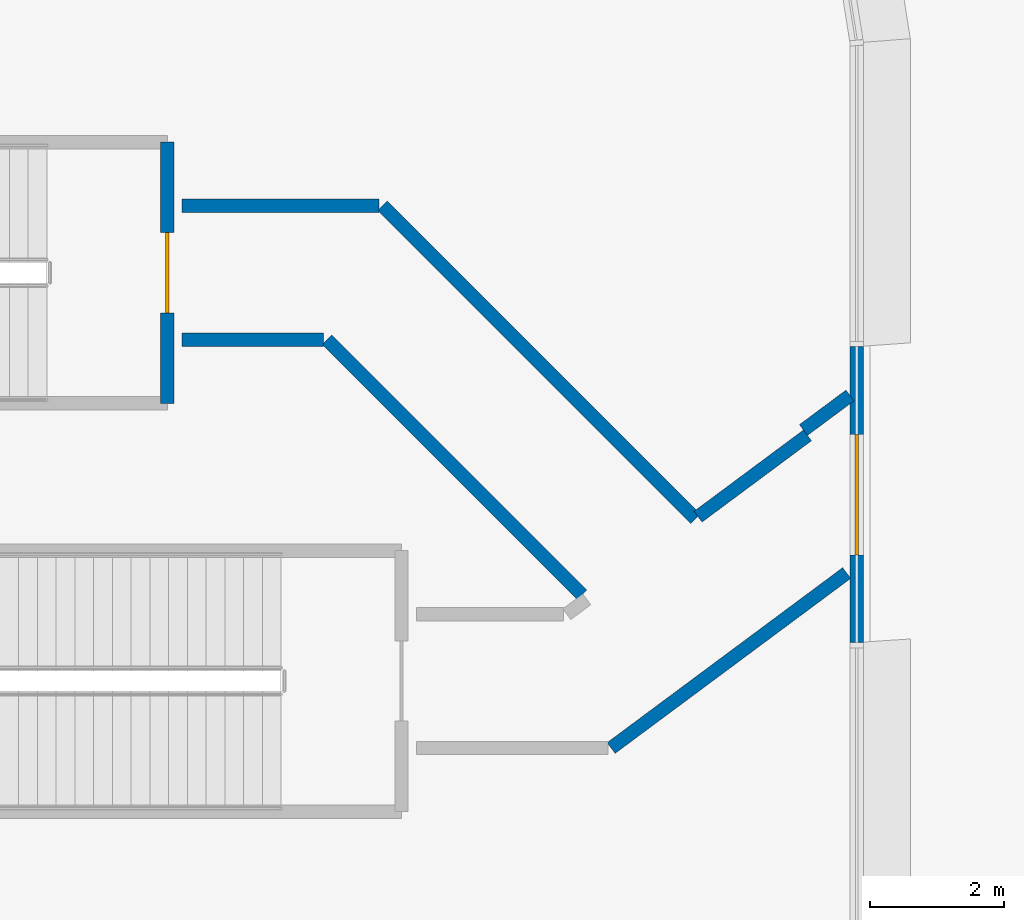
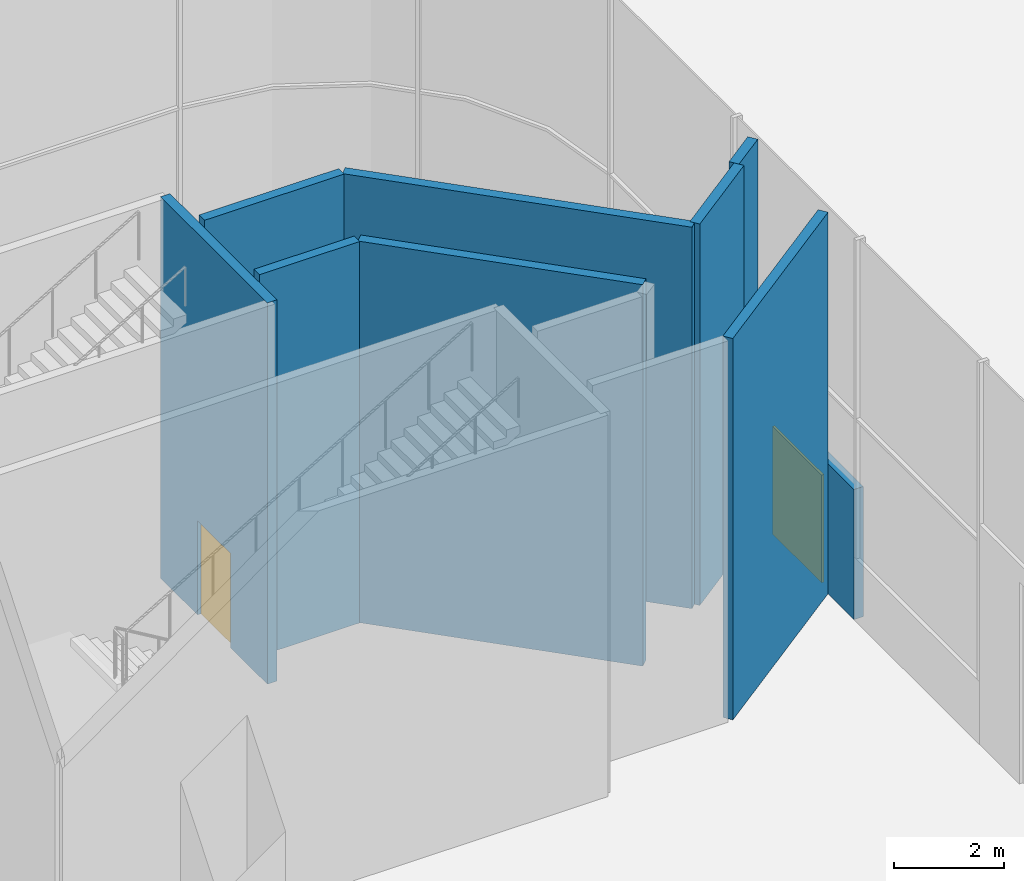
# One storey, part 33 of 54: 9 walls, 2 doors, 2 openings.
"""IFC4 building model written with IfcOpenShell, lengths in metres."""

from ifc_helpers import new_model, si_unit, direction, frame, frame_2d, origin, place, context, subcontext, project, spatial, rectangle, extrude, material, layer, layer_set, type_object, element, fill, save


model = new_model("IFC4")

# Units and contexts
model_context = context("Model", 3, precision=1e-05, world=origin(), true_north=direction((0.0, 1.0)))
body_context = subcontext(model_context, "Body", "Model", "MODEL_VIEW")
ifc_project = project(units=[si_unit("LENGTHUNIT", "METRE"), si_unit("AREAUNIT", "SQUARE_METRE"), si_unit("VOLUMEUNIT", "CUBIC_METRE"), si_unit("PLANEANGLEUNIT", "RADIAN"), si_unit("MASSUNIT", "GRAM", prefix="KILO")], contexts=[model_context])

# Site, building, storey
site_placement = place(None, origin())
site = spatial("IfcSite", under=ifc_project, at=site_placement, CompositionType="ELEMENT")
building_placement = place(site_placement, origin())
building = spatial("IfcBuilding", under=site, at=building_placement, Name="Tamarind Cross Interchange Tower", CompositionType="ELEMENT")
storey_placement = place(building_placement, origin())
storey = spatial("IfcBuildingStorey", under=building, at=storey_placement, Name="L00", CompositionType="ELEMENT", Elevation=0.0)

# Wall
ifc_material_1 = material(Name="Masonry partition, fire-rated", Category="masonry")
ifc_layer_1 = layer(ifc_material_1, 0.199951171875)
ifc_layer_set_1 = layer_set([ifc_layer_1], Name="Masonry partition, fire-rated")
wall_type_1 = type_object("IfcWallType", Name="Fire partition 200 EI 180", PredefinedType="PARTITIONING", material=ifc_layer_set_1)
wall_1_placement = place(storey_placement, frame((69.00390625, 48.200439453125, 0.0), z_axis=(0.0, 0.0, 1.0), x_axis=(0.802832514658, 0.596204623772, 0.0)))
element("IfcWall", 1, at=wall_1_placement, inside=storey, type_object=wall_type_1, Name="L00 partition 102", PredefinedType="PARTITIONING", context=body_context, shape_type="SweptSolid", body=[
    extrude(rectangle(XDim=0.865966796875, YDim=0.199951171875, at=frame_2d((0.43310546875, 0.0))), origin(), (0.0, 0.0, 1.0), 8.5),
])

# Wall, opening, door
ifc_material_2 = material(Name="Precast concrete C40", Category="concrete")
ifc_layer_2 = layer(ifc_material_2, 0.35009765625)
ifc_layer_set_2 = layer_set([ifc_layer_2], Name="Precast concrete C40")
wall_type_2 = type_object("IfcWallType", Name="Podium facade wall", PredefinedType="SOLIDWALL", material=ifc_layer_set_2)
wall_2_placement = place(storey_placement, frame((69.800048828125, 45.02685546875, 0.0), z_axis=(0.0, 0.0, 1.0), x_axis=(0.0, 1.0, 0.0)))
wall_2 = element("IfcWall", 2, at=wall_2_placement, inside=storey, type_object=wall_type_2, Name="EXW-L00-00-D22", PredefinedType="SOLIDWALL", context=body_context, shape_type="SweptSolid", body=[
    extrude(rectangle(XDim=4.418701171875, YDim=0.199951171875, at=frame_2d((2.20947265625, 0.0))), origin(), (0.0, 0.0, 1.0), 2.89990234375),
])
opening_1_placement = place(wall_2_placement, frame((1.309326171875, 0.0, 0.0)))
opening_1 = element("IfcOpeningElement", 3, at=opening_1_placement, cuts=wall_2, Name="Opening D7", PredefinedType="OPENING", context=body_context, shape_type="SweptSolid", body=[
    extrude(rectangle(XDim=1.800048828125, YDim=2.39990234375, at=frame_2d((0.89990234375, 1.199951171875))), frame((0.0, 0.10986328125, 0.0), z_axis=(0.0, -1.0, 0.0), x_axis=(1.0, 0.0, 0.0)), (0.0, 0.0, 1.0), 0.219970703125),
])
ifc_material_3 = material(Name="Steel FD90", Category="steel")
door_type_1 = type_object("IfcDoorType", Name="Exit passage door", OperationType="DOUBLE_DOOR_SINGLE_SWING", PredefinedType="DOOR", material=ifc_material_3)
door_1_placement = place(opening_1_placement, frame((1.800048828125, 0.0, 0.0), z_axis=(0.0, 0.0, 1.0), x_axis=(-1.0, 0.0, 0.0)))
door_1 = element("IfcDoor", 4, at=door_1_placement, inside=storey, type_object=door_type_1, Name="DOR-L00-00-22", OperationType="SINGLE_SWING_LEFT", OverallHeight=2.39990234375, OverallWidth=1.800048828125, PredefinedType="DOOR", context=body_context, shape_type="SweptSolid", body=[
    extrude(rectangle(XDim=1.800048828125, YDim=2.39990234375, at=frame_2d((0.89990234375, 1.199951171875))), frame((0.0, 0.02490234375, 0.0), z_axis=(0.0, -1.0, 0.0), x_axis=(1.0, 0.0, 0.0)), (0.0, 0.0, 1.0), 0.050048828125),
])
fill(opening_1, door_1)

# Walls
ifc_material_4 = material(Name="Concrete C40", Category="concrete")
ifc_layer_3 = layer(ifc_material_4, 0.199951171875)
ifc_layer_set_3 = layer_set([ifc_layer_3], Name="Concrete C40")
wall_type_3 = type_object("IfcWallType", Name="Protected passage wall 200 EI 180", PredefinedType="PARTITIONING", material=ifc_layer_set_3)
wall_3_placement = place(storey_placement, frame((67.4296875, 46.90625, 0.0), z_axis=(0.0, 0.0, 1.0), x_axis=(0.802697910389, 0.596385835393, 0.0)))
element("IfcWall", 5, at=wall_3_placement, inside=storey, type_object=wall_type_3, Name="L00 passage wall 166", PredefinedType="PARTITIONING", context=body_context, shape_type="SweptSolid", body=[
    extrude(rectangle(XDim=2.035400390625, YDim=0.199951171875, at=frame_2d((1.017578125, 0.0))), origin(), (0.0, 0.0, 1.0), 8.5),
])
wall_4_placement = place(storey_placement, frame((66.130859375, 43.449951171875, 0.0), z_axis=(0.0, 0.0, 1.0), x_axis=(0.802731660779, 0.5963404068, 0.0)))
element("IfcWall", 6, at=wall_4_placement, inside=storey, type_object=wall_type_3, Name="L00 passage wall 168", PredefinedType="PARTITIONING", context=body_context, shape_type="SweptSolid", body=[
    extrude(rectangle(XDim=4.3837890625, YDim=0.199951171875, at=frame_2d((2.19189453125, 0.0))), origin(), (0.0, 0.0, 1.0), 8.5),
])
wall_5_placement = place(storey_placement, frame((59.719970703125, 51.550048828125, 0.0), z_axis=(0.0, 0.0, 1.0), x_axis=(1.0, 0.0, 0.0)))
element("IfcWall", 7, at=wall_5_placement, inside=storey, type_object=wall_type_3, Name="L00 passage wall 225", PredefinedType="PARTITIONING", context=body_context, shape_type="SweptSolid", body=[
    extrude(rectangle(XDim=2.944091796875, YDim=0.199951171875, at=frame_2d((1.47216796875, 0.0))), origin(), (0.0, 0.0, 1.0), 8.5),
])
wall_6_placement = place(storey_placement, frame((62.714111328125, 51.550048828125, 0.0), z_axis=(0.0, 0.0, 1.0), x_axis=(0.707236029221, -0.706977509523, 0.0)))
element("IfcWall", 8, at=wall_6_placement, inside=storey, type_object=wall_type_3, Name="L00 passage wall 226", PredefinedType="PARTITIONING", context=body_context, shape_type="SweptSolid", body=[
    extrude(rectangle(XDim=6.610595703125, YDim=0.199951171875, at=frame_2d((3.30517578125, 0.0))), origin(), (0.0, 0.0, 1.0), 8.5),
])
wall_7_placement = place(storey_placement, frame((59.719970703125, 49.550048828125, 0.0), z_axis=(0.0, 0.0, 1.0), x_axis=(1.0, 0.0, 0.0)))
element("IfcWall", 9, at=wall_7_placement, inside=storey, type_object=wall_type_3, Name="L00 passage wall 227", PredefinedType="PARTITIONING", context=body_context, shape_type="SweptSolid", body=[
    extrude(rectangle(XDim=2.115966796875, YDim=0.199951171875, at=frame_2d((1.05810546875, 0.0))), origin(), (0.0, 0.0, 1.0), 8.5),
])
wall_8_placement = place(storey_placement, frame((61.885986328125, 49.550048828125, 0.0), z_axis=(0.0, 0.0, 1.0), x_axis=(0.707220072345, -0.706993471874, 0.0)))
element("IfcWall", 10, at=wall_8_placement, inside=storey, type_object=wall_type_3, Name="L00 passage wall 228", PredefinedType="PARTITIONING", context=body_context, shape_type="SweptSolid", body=[
    extrude(rectangle(XDim=5.386962890625, YDim=0.199951171875, at=frame_2d((2.693359375, 0.0))), origin(), (0.0, 0.0, 1.0), 8.5),
])

# Wall, opening, door
ifc_layer_4 = layer(ifc_material_4, 0.199951171875)
ifc_layer_set_4 = layer_set([ifc_layer_4], Name="Concrete C40")
wall_type_4 = type_object("IfcWallType", Name="Stair shaft wall 200 EI 180", PredefinedType="PARTITIONING", material=ifc_layer_set_4)
wall_9_placement = place(storey_placement, frame((59.5, 48.60009765625, 0.0), z_axis=(0.0, 0.0, 1.0), x_axis=(0.0, 1.0, 0.0)))
wall_9 = element("IfcWall", 11, at=wall_9_placement, inside=storey, type_object=wall_type_4, Name="L00 stair shaft wall 56", PredefinedType="PARTITIONING", context=body_context, shape_type="SweptSolid", body=[
    extrude(rectangle(XDim=3.89990234375, YDim=0.199951171875, at=frame_2d((1.949951171875, 0.0))), origin(), (0.0, 0.0, 1.0), 8.5),
])
opening_2_placement = place(wall_9_placement, frame((1.35009765625, 0.0, 0.0)))
opening_2 = element("IfcOpeningElement", 12, at=opening_2_placement, cuts=wall_9, Name="Opening DL00-03", PredefinedType="OPENING", context=body_context, shape_type="SweptSolid", body=[
    extrude(rectangle(XDim=1.199951171875, YDim=2.10009765625, at=frame_2d((0.60009765625, 1.050048828125))), frame((0.0, 0.10986328125, 0.0), z_axis=(0.0, -1.0, 0.0), x_axis=(1.0, 0.0, 0.0)), (0.0, 0.0, 1.0), 0.219970703125),
])
ifc_material_5 = material(Name="Steel, fire-resisting", Category="steel")
door_type_2 = type_object("IfcDoorType", Name="Podium door 1200 x 2100 FD90", OperationType="SINGLE_SWING_LEFT", PredefinedType="DOOR", material=ifc_material_5)
door_2_placement = place(opening_2_placement, origin())
door_2 = element("IfcDoor", 13, at=door_2_placement, inside=storey, type_object=door_type_2, Name="L00 door Exit Stair PX1", OperationType="SINGLE_SWING_LEFT", OverallHeight=2.10009765625, OverallWidth=1.199951171875, PredefinedType="DOOR", context=body_context, shape_type="SweptSolid", body=[
    extrude(rectangle(XDim=1.199951171875, YDim=2.10009765625, at=frame_2d((0.60009765625, 1.050048828125))), frame((0.0, 0.02490234375, 0.0), z_axis=(0.0, -1.0, 0.0), x_axis=(1.0, 0.0, 0.0)), (0.0, 0.0, 1.0), 0.050048828125),
])
fill(opening_2, door_2)

save(model, "model.ifc")
